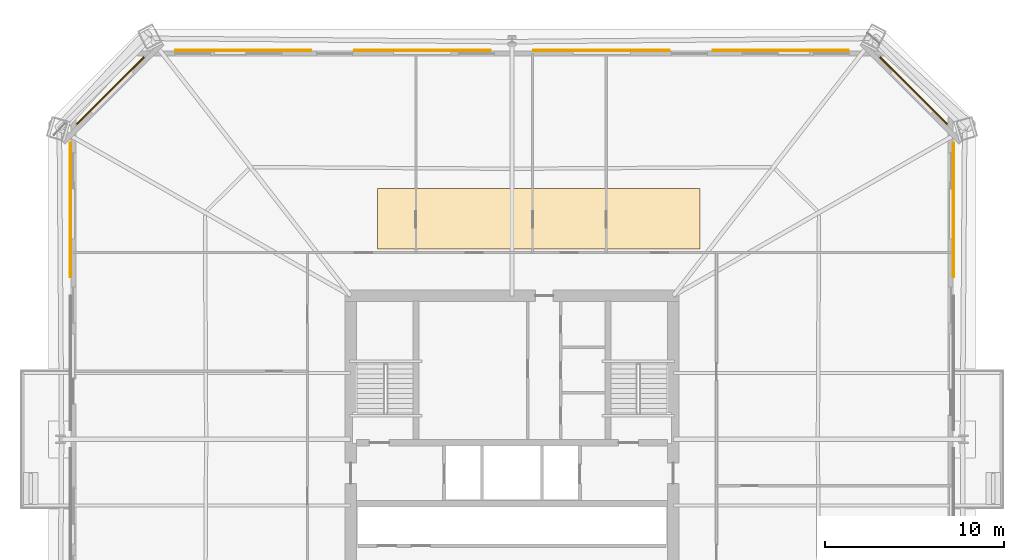
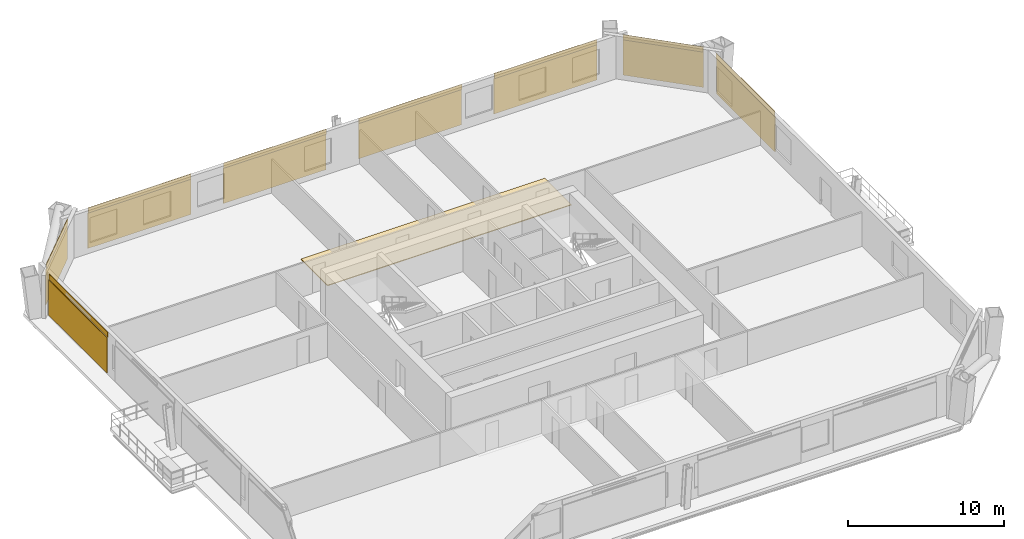
# One storey, part 11 of 11: 9 coverings, 8 shading devices.
"""IFC4 building model written with IfcOpenShell, lengths in metres."""

from ifc_helpers import new_model, si_unit, direction, frame, origin, origin_2d, place, context, subcontext, project, spatial, polyline, rectangle, outline, extrude, material, layer, layer_set, type_object, element, save


model = new_model("IFC4")

# Units and contexts
model_context = context("Model", 3, precision=1e-05, world=origin(), true_north=direction((0.0, 1.0)))
body_context = subcontext(model_context, "Body", "Model", "MODEL_VIEW")
ifc_project = project(units=[si_unit("LENGTHUNIT", "METRE"), si_unit("AREAUNIT", "SQUARE_METRE"), si_unit("VOLUMEUNIT", "CUBIC_METRE"), si_unit("PLANEANGLEUNIT", "RADIAN"), si_unit("MASSUNIT", "GRAM", prefix="KILO")], contexts=[model_context])

# Site, building, storey
site_placement = place(None, origin())
site = spatial("IfcSite", under=ifc_project, at=site_placement, CompositionType="ELEMENT")
building_placement = place(site_placement, origin())
building = spatial("IfcBuilding", under=site, at=building_placement, Name="Caelvoria Tower", CompositionType="ELEMENT")
storey_placement = place(building_placement, frame((0.0, 0.0, 67.60009765625)))
storey = spatial("IfcBuildingStorey", under=building, at=storey_placement, Name="L17", CompositionType="ELEMENT", Elevation=67.60009765625)

# Coverings
ifc_material_1 = material(Name="Perforated Architectural Bronze Cladding Screen", Category="bronze")
ifc_layer_1 = layer(ifc_material_1, 0.0400390625, Name="Perforated Architectural Bronze Cladding Screen")
ifc_layer_set_1 = layer_set([ifc_layer_1], Name="Perforated Bronze Louvre Cladding Band 40 - Perforated Architectural Bronze Cladding Screen")
covering_type_1 = type_object("IfcCoveringType", Name="Perforated Bronze Louvre Cladding Band 40", PredefinedType="CLADDING", material=ifc_layer_set_1)
covering_1_placement = place(storey_placement, frame((70.6220703125, 44.780029296875, 2.93994140625), z_axis=(0.0, 0.0, 1.0), x_axis=(0.0, 1.0, 0.0)))
element("IfcCovering", 1, at=covering_1_placement, inside=storey, type_object=covering_type_1, Name="Perforated Bronze Screen Band L17-E2-03", PredefinedType="CLADDING", context=body_context, shape_type="SweptSolid", body=[
    extrude(rectangle(XDim=7.49755859375, YDim=0.0400390625, at=origin_2d()), origin(), (0.0, 0.0, 1.0), 0.39990234375),
])
covering_2_placement = place(storey_placement, frame((68.381591796875, 51.431640625, 2.93994140625), z_axis=(0.0, 0.0, 1.0), x_axis=(-0.707106781187, 0.707106781187, 0.0)))
element("IfcCovering", 2, at=covering_2_placement, inside=storey, type_object=covering_type_1, Name="Perforated Bronze Screen Band L17-E3-00", PredefinedType="CLADDING", context=body_context, shape_type="SweptSolid", body=[
    extrude(rectangle(XDim=5.309814453125, YDim=0.0400390625, at=origin_2d()), origin(), (0.0, 0.0, 1.0), 0.39990234375),
])
for number, where, z_axis, x_axis, name in (
    (3, (60.992431640625, 53.672119140625, 2.93994140625), (0.0, 0.0, 1.0), (-1.0, 0.0, 0.0), "Perforated Bronze Screen Band L17-E4-00"),
    (4, (50.99755859375, 53.672119140625, 2.93994140625), (0.0, 0.0, 1.0), (-1.0, 0.0, 0.0), "Perforated Bronze Screen Band L17-E4-01"),
    (5, (41.00244140625, 53.672119140625, 2.93994140625), (0.0, 0.0, 1.0), (-1.0, 0.0, 0.0), "Perforated Bronze Screen Band L17-E4-02"),
    (6, (31.007568359375, 53.672119140625, 2.93994140625), (0.0, 0.0, 1.0), (-1.0, 0.0, 0.0), "Perforated Bronze Screen Band L17-E4-03"),
):
    element("IfcCovering", number, at=place(storey_placement, frame(where, z_axis=z_axis, x_axis=x_axis)), inside=storey, type_object=covering_type_1, Name=name, PredefinedType="CLADDING", context=body_context, shape_type="SweptSolid", body=[
        extrude(rectangle(XDim=7.60009765625, YDim=0.0400390625, at=origin_2d()), origin(), (0.0, 0.0, 1.0), 0.39990234375),
    ])
covering_3_placement = place(storey_placement, frame((23.618408203125, 51.431640625, 2.93994140625), z_axis=(0.0, 0.0, 1.0), x_axis=(-0.707106781187, -0.707106781187, 0.0)))
element("IfcCovering", 7, at=covering_3_placement, inside=storey, type_object=covering_type_1, Name="Perforated Bronze Screen Band L17-E5-00", PredefinedType="CLADDING", context=body_context, shape_type="SweptSolid", body=[
    extrude(rectangle(XDim=5.309814453125, YDim=0.0400390625, at=origin_2d()), origin(), (0.0, 0.0, 1.0), 0.39990234375),
])
covering_4_placement = place(storey_placement, frame((21.3779296875, 44.780029296875, 2.93994140625), z_axis=(0.0, 0.0, 1.0), x_axis=(0.0, -1.0, 0.0)))
element("IfcCovering", 8, at=covering_4_placement, inside=storey, type_object=covering_type_1, Name="Perforated Bronze Screen Band L17-E6-00", PredefinedType="CLADDING", context=body_context, shape_type="SweptSolid", body=[
    extrude(rectangle(XDim=7.49755859375, YDim=0.0400390625, at=origin_2d()), origin(), (0.0, 0.0, 1.0), 0.39990234375),
])

# Shading devices
ifc_material_2 = material(Name="Perforated Architectural Bronze Alloy Panel", Category="bronze")
ifc_layer_2 = layer(ifc_material_2, 0.044921875, Name="Perforated Architectural Bronze Alloy Panel")
ifc_layer_set_2 = layer_set([ifc_layer_2], Name="Perforated Bronze Solar Screen Panel SCREEN - Perforated Architectural Bronze Alloy Panel")
shading_device_type = type_object("IfcShadingDeviceType", Name="Perforated Bronze Solar Screen Panel SCREEN", PredefinedType="USERDEFINED", material=ifc_layer_set_2)
shading_device_1_placement = place(storey_placement, frame((70.6650390625, 44.780029296875, 0.159912109375), z_axis=(0.0, 0.0, 1.0), x_axis=(0.0, 1.0, 0.0)))
element("IfcShadingDevice", 9, at=shading_device_1_placement, inside=storey, type_object=shading_device_type, Name="Perforated Bronze Solar Screen L17-E2-03", ObjectType="SCREEN", PredefinedType="USERDEFINED", context=body_context, shape_type="SweptSolid", body=[
    extrude(rectangle(XDim=7.49755859375, YDim=0.044921875, at=origin_2d()), origin(), (0.0, 0.0, 1.0), 2.75),
])
shading_device_2_placement = place(storey_placement, frame((68.412109375, 51.462158203125, 0.159912109375), z_axis=(0.0, 0.0, 1.0), x_axis=(-0.707106781187, 0.707106781187, 0.0)))
element("IfcShadingDevice", 10, at=shading_device_2_placement, inside=storey, type_object=shading_device_type, Name="Perforated Bronze Solar Screen L17-E3-00", ObjectType="SCREEN", PredefinedType="USERDEFINED", context=body_context, shape_type="SweptSolid", body=[
    extrude(rectangle(XDim=5.309814453125, YDim=0.044921875, at=origin_2d()), origin(), (0.0, 0.0, 1.0), 2.75),
])
for number, where, z_axis, x_axis, name in (
    (11, (60.992431640625, 53.715087890625, 0.159912109375), (0.0, 0.0, 1.0), (-1.0, 0.0, 0.0), "Perforated Bronze Solar Screen L17-E4-00"),
    (12, (50.99755859375, 53.715087890625, 0.159912109375), (0.0, 0.0, 1.0), (-1.0, 0.0, 0.0), "Perforated Bronze Solar Screen L17-E4-01"),
    (13, (41.00244140625, 53.715087890625, 0.159912109375), (0.0, 0.0, 1.0), (-1.0, 0.0, 0.0), "Perforated Bronze Solar Screen L17-E4-02"),
    (14, (31.007568359375, 53.715087890625, 0.159912109375), (0.0, 0.0, 1.0), (-1.0, 0.0, 0.0), "Perforated Bronze Solar Screen L17-E4-03"),
):
    element("IfcShadingDevice", number, at=place(storey_placement, frame(where, z_axis=z_axis, x_axis=x_axis)), inside=storey, type_object=shading_device_type, Name=name, ObjectType="SCREEN", PredefinedType="USERDEFINED", context=body_context, shape_type="SweptSolid", body=[
        extrude(rectangle(XDim=7.60009765625, YDim=0.044921875, at=origin_2d()), origin(), (0.0, 0.0, 1.0), 2.75),
    ])
shading_device_3_placement = place(storey_placement, frame((23.587890625, 51.462158203125, 0.159912109375), z_axis=(0.0, 0.0, 1.0), x_axis=(-0.707106781187, -0.707106781187, 0.0)))
element("IfcShadingDevice", 15, at=shading_device_3_placement, inside=storey, type_object=shading_device_type, Name="Perforated Bronze Solar Screen L17-E5-00", ObjectType="SCREEN", PredefinedType="USERDEFINED", context=body_context, shape_type="SweptSolid", body=[
    extrude(rectangle(XDim=5.309814453125, YDim=0.044921875, at=origin_2d()), origin(), (0.0, 0.0, 1.0), 2.75),
])
shading_device_4_placement = place(storey_placement, frame((21.3349609375, 44.780029296875, 0.159912109375), z_axis=(0.0, 0.0, 1.0), x_axis=(0.0, -1.0, 0.0)))
element("IfcShadingDevice", 16, at=shading_device_4_placement, inside=storey, type_object=shading_device_type, Name="Perforated Bronze Solar Screen L17-E6-00", ObjectType="SCREEN", PredefinedType="USERDEFINED", context=body_context, shape_type="SweptSolid", body=[
    extrude(rectangle(XDim=7.49755859375, YDim=0.044921875, at=origin_2d()), origin(), (0.0, 0.0, 1.0), 2.75),
])

# Covering
ifc_material_3 = material(Name="Calcium-Sulphate Raised Floor Tile", Category="gypsum")
ifc_layer_3 = layer(ifc_material_3, 0.06005859375, Name="Calcium-Sulphate Raised Floor Tile")
ifc_layer_set_3 = layer_set([ifc_layer_3], Name="Raised Access Office Floor System 120 - Calcium-Sulphate Raised Floor Tile")
covering_type_2 = type_object("IfcCoveringType", Name="Raised Access Office Floor System 120", PredefinedType="FLOORING", material=ifc_layer_set_3)
covering_5_placement = place(storey_placement, origin())
element("IfcCovering", 17, at=covering_5_placement, inside=storey, type_object=covering_type_2, Name="Raised Access Flooring L17", PredefinedType="FLOORING", context=body_context, shape_type="SweptSolid", body=[
    extrude(outline(polyline([(38.5, 42.60009765625), (56.5, 42.60009765625), (56.5, 46.0), (38.5, 46.0), (38.5, 42.60009765625)])), origin(), (0.0, 0.0, 1.0), 0.059814453125),
])

save(model, "model.ifc")
